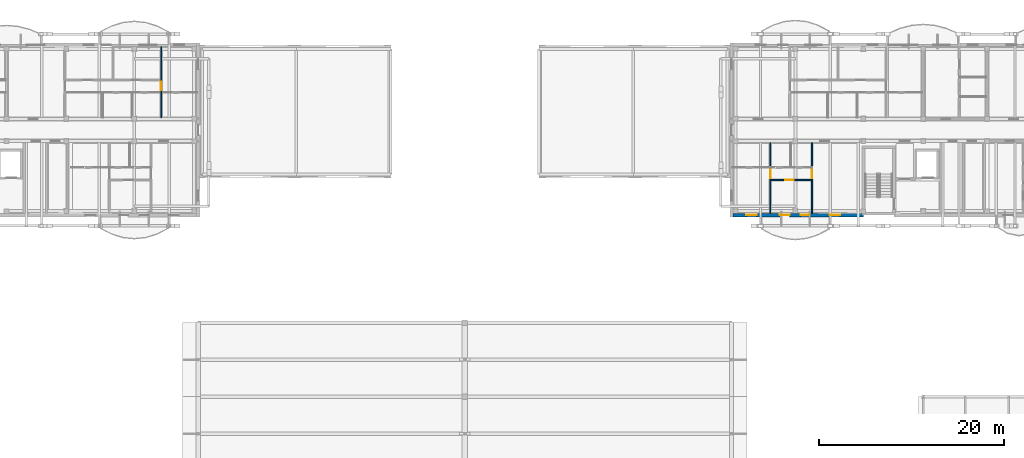
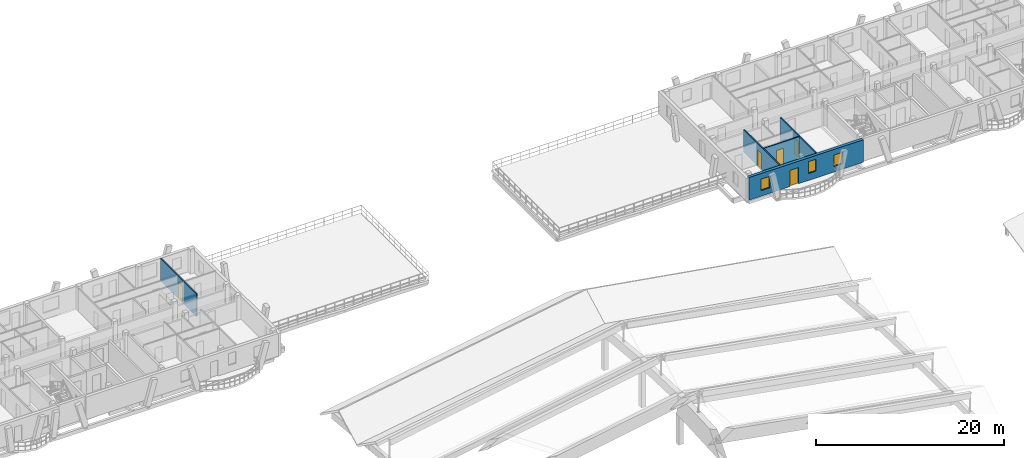
# One storey, part 76 of 109: 5 doors, 5 walls, 3 windows, 8 openings.
"""IFC4 building model written with IfcOpenShell, lengths in metres."""

from ifc_helpers import new_model, si_unit, direction, frame, frame_2d, origin, origin_with_axes, place, context, subcontext, project, spatial, rectangle, extrude, material, layer, layer_set, type_object, element, fill, save


model = new_model("IFC4")

# Units and contexts
model_context = context("Model", 3, precision=1e-05, world=origin(), true_north=direction((0.0, 1.0)))
body_context = subcontext(model_context, "Body", "Model", "MODEL_VIEW")
ifc_project = project(units=[si_unit("LENGTHUNIT", "METRE"), si_unit("AREAUNIT", "SQUARE_METRE"), si_unit("VOLUMEUNIT", "CUBIC_METRE"), si_unit("PLANEANGLEUNIT", "RADIAN"), si_unit("MASSUNIT", "GRAM", prefix="KILO")], contexts=[model_context])

# Site, building, storey
site_placement = place(None, origin())
site = spatial("IfcSite", under=ifc_project, at=site_placement, CompositionType="ELEMENT")
building_placement = place(site_placement, origin())
building = spatial("IfcBuilding", under=site, at=building_placement, Name="Zavelmont Quarter", CompositionType="ELEMENT")
storey_placement = place(building_placement, frame((0.0, 0.0, 8.0)))
storey = spatial("IfcBuildingStorey", under=building, at=storey_placement, Name="L02", CompositionType="ELEMENT", Elevation=8.0)

# Wall, openings, door, windows
ifc_material_1 = material(Name="Natural Belgian limestone", Category="masonry")
ifc_layer_1 = layer(ifc_material_1, 0.360107421875)
ifc_layer_set_1 = layer_set([ifc_layer_1], Name="Natural Belgian limestone")
wall_type_1 = type_object("IfcWallType", Name="EW02", PredefinedType="STANDARD", material=ifc_layer_set_1)
wall_1_placement = place(storey_placement, frame((112.969970703125, 97.60009765625, 0.0), z_axis=(0.0, 0.0, 1.0), x_axis=(1.0, 0.0, 0.0)))
wall_1 = element("IfcWall", 1, at=wall_1_placement, inside=storey, type_object=wall_type_1, Name="L02 exterior limestone wall EW02", PredefinedType="STANDARD", context=body_context, shape_type="SweptSolid", body=[
    extrude(rectangle(XDim=14.080078125, YDim=0.360107421875, at=frame_2d((7.0400390625, 0.0))), origin(), (0.0, 0.0, 1.0), 2.93994140625),
])
opening_1_placement = place(wall_1_placement, frame((5.050048828125, 0.0, 0.0)))
opening_1 = element("IfcOpeningElement", 2, at=opening_1_placement, cuts=wall_1, Name="Opening DR04A", PredefinedType="OPENING", context=body_context, shape_type="SweptSolid", body=[
    extrude(rectangle(XDim=1.050048828125, YDim=2.1201171875, at=frame_2d((0.52490234375, 1.06005859375))), frame((0.0, 0.19189453125, 0.0), z_axis=(0.0, -1.0, 0.0), x_axis=(1.0, 0.0, 0.0)), (0.0, 0.0, 1.0), 0.384033203125),
])
opening_2_placement = place(wall_1_placement, frame((1.449951171875, 0.0, 0.719970703125)))
opening_2 = element("IfcOpeningElement", 3, at=opening_2_placement, cuts=wall_1, Name="Opening WN09", PredefinedType="OPENING", context=body_context, shape_type="SweptSolid", body=[
    extrude(rectangle(XDim=1.10009765625, YDim=1.5, at=frame_2d((0.550048828125, 0.75))), frame((0.0, 0.19189453125, 0.0), z_axis=(0.0, -1.0, 0.0), x_axis=(1.0, 0.0, 0.0)), (0.0, 0.0, 1.0), 0.384033203125),
])
opening_3_placement = place(wall_1_placement, frame((7.300048828125, 0.0, 0.89990234375)))
opening_3 = element("IfcOpeningElement", 4, at=opening_3_placement, cuts=wall_1, Name="Opening WN04", PredefinedType="OPENING", context=body_context, shape_type="SweptSolid", body=[
    extrude(rectangle(XDim=0.949951171875, YDim=1.550048828125, at=frame_2d((0.47509765625, 0.77490234375))), frame((0.0, 0.19189453125, 0.0), z_axis=(0.0, -1.0, 0.0), x_axis=(1.0, 0.0, 0.0)), (0.0, 0.0, 1.0), 0.384033203125),
])
opening_4_placement = place(wall_1_placement, frame((10.449951171875, 0.0, 0.719970703125)))
opening_4 = element("IfcOpeningElement", 5, at=opening_4_placement, cuts=wall_1, Name="Opening WN09", PredefinedType="OPENING", context=body_context, shape_type="SweptSolid", body=[
    extrude(rectangle(XDim=1.10009765625, YDim=1.5, at=frame_2d((0.550048828125, 0.75))), frame((0.0, 0.19189453125, 0.0), z_axis=(0.0, -1.0, 0.0), x_axis=(1.0, 0.0, 0.0)), (0.0, 0.0, 1.0), 0.384033203125),
])
ifc_material_2 = material(Name="Thermally broken aluminium and double safety glass", Category="aluminium")
door_type_1 = type_object("IfcDoorType", Name="DR04A", OperationType="NOTDEFINED", PredefinedType="DOOR", material=ifc_material_2)
door_1_placement = place(opening_1_placement, origin_with_axes())
door_1 = element("IfcDoor", 6, at=door_1_placement, inside=storey, type_object=door_type_1, Name="Block C L02 glazed balcony door", OperationType="SINGLE_SWING_RIGHT", OverallHeight=2.1201171875, OverallWidth=1.050048828125, PredefinedType="DOOR", context=body_context, shape_type="SweptSolid", body=[
    extrude(rectangle(XDim=1.050048828125, YDim=2.1201171875, at=frame_2d((0.52490234375, 1.06005859375))), frame((0.0, 0.02490234375, 0.0), z_axis=(0.0, -1.0, 0.0), x_axis=(1.0, 0.0, 0.0)), (0.0, 0.0, 1.0), 0.050048828125),
])
fill(opening_1, door_1)
ifc_material_3 = material(Name="Double low-E insulated glazing in thermally broken aluminium frame", Category="aluminium")
window_type_1 = type_object("IfcWindowType", Name="WN04", PartitioningType="SINGLE_PANEL", PredefinedType="WINDOW", material=ifc_material_3)
window_1_placement = place(opening_3_placement, origin_with_axes())
window_1 = element("IfcWindow", 7, at=window_1_placement, inside=storey, type_object=window_type_1, Name="L02 window WN04", OverallHeight=1.550048828125, OverallWidth=0.949951171875, PartitioningType="SINGLE_PANEL", PredefinedType="WINDOW", context=body_context, shape_type="SweptSolid", body=[
    extrude(rectangle(XDim=0.949951171875, YDim=1.550048828125, at=frame_2d((0.47509765625, 0.77490234375))), frame((0.0, 0.030029296875, 0.0), z_axis=(0.0, -1.0, 0.0), x_axis=(1.0, 0.0, 0.0)), (0.0, 0.0, 1.0), 0.06005859375),
])
fill(opening_3, window_1)
window_type_2 = type_object("IfcWindowType", Name="WN09", PartitioningType="SINGLE_PANEL", PredefinedType="WINDOW", material=ifc_material_3)
window_2_placement = place(opening_2_placement, origin_with_axes())
window_2 = element("IfcWindow", 8, at=window_2_placement, inside=storey, type_object=window_type_2, Name="L02 window WN09", OverallHeight=1.5, OverallWidth=1.10009765625, PartitioningType="SINGLE_PANEL", PredefinedType="WINDOW", context=body_context, shape_type="SweptSolid", body=[
    extrude(rectangle(XDim=1.10009765625, YDim=1.5, at=frame_2d((0.550048828125, 0.75))), frame((0.0, 0.030029296875, 0.0), z_axis=(0.0, -1.0, 0.0), x_axis=(1.0, 0.0, 0.0)), (0.0, 0.0, 1.0), 0.06005859375),
])
fill(opening_2, window_2)
window_3_placement = place(opening_4_placement, origin_with_axes())
window_3 = element("IfcWindow", 9, at=window_3_placement, inside=storey, type_object=window_type_2, Name="L02 window WN09", OverallHeight=1.5, OverallWidth=1.10009765625, PartitioningType="SINGLE_PANEL", PredefinedType="WINDOW", context=body_context, shape_type="SweptSolid", body=[
    extrude(rectangle(XDim=1.10009765625, YDim=1.5, at=frame_2d((0.550048828125, 0.75))), frame((0.0, 0.030029296875, 0.0), z_axis=(0.0, -1.0, 0.0), x_axis=(1.0, 0.0, 0.0)), (0.0, 0.0, 1.0), 0.06005859375),
])
fill(opening_4, window_3)

# Wall, opening, door
ifc_material_4 = material(Name="Double gypsum board on acoustic steel stud", Category="steel")
ifc_layer_2 = layer(ifc_material_4, 0.125)
ifc_layer_set_2 = layer_set([ifc_layer_2], Name="Double gypsum board on acoustic steel stud")
wall_type_2 = type_object("IfcWallType", Name="IW03", PredefinedType="PARTITIONING", material=ifc_layer_set_2)
wall_2_placement = place(storey_placement, frame((51.199951171875, 108.14990234375, 0.0), z_axis=(0.0, 0.0, 1.0), x_axis=(0.0, 1.0, 0.0)))
wall_2 = element("IfcWall", 10, at=wall_2_placement, inside=storey, type_object=wall_type_2, Name="L02 Partition IW03", PredefinedType="PARTITIONING", context=body_context, shape_type="SweptSolid", body=[
    extrude(rectangle(XDim=7.650146484375, YDim=0.125, at=frame_2d((3.8251953125, 0.0))), origin(), (0.0, 0.0, 1.0), 2.93994140625),
])
opening_5_placement = place(wall_2_placement, frame((2.949951171875, 0.0, 0.0)))
opening_5 = element("IfcOpeningElement", 11, at=opening_5_placement, cuts=wall_2, Name="Opening DR05", PredefinedType="OPENING", context=body_context, shape_type="SweptSolid", body=[
    extrude(rectangle(XDim=0.89990234375, YDim=2.10009765625, at=frame_2d((0.449951171875, 1.050048828125))), frame((0.0, 0.074462890625, 0.0), z_axis=(0.0, -1.0, 0.0), x_axis=(1.0, 0.0, 0.0)), (0.0, 0.0, 1.0), 0.14892578125),
])
ifc_material_5 = material(Name="Engineered oak flush interior door")
door_type_2 = type_object("IfcDoorType", Name="DR05", OperationType="NOTDEFINED", PredefinedType="DOOR", material=ifc_material_5)
door_2_placement = place(opening_5_placement, origin_with_axes())
door_2 = element("IfcDoor", 12, at=door_2_placement, inside=storey, type_object=door_type_2, Name="L02 door DR05", OperationType="SINGLE_SWING_LEFT", OverallHeight=2.10009765625, OverallWidth=0.89990234375, PredefinedType="DOOR", context=body_context, shape_type="SweptSolid", body=[
    extrude(rectangle(XDim=0.89990234375, YDim=2.10009765625, at=frame_2d((0.449951171875, 1.050048828125))), frame((0.0, 0.02490234375, 0.0), z_axis=(0.0, -1.0, 0.0), x_axis=(1.0, 0.0, 0.0)), (0.0, 0.0, 1.0), 0.050048828125),
])
fill(opening_5, door_2)

wall_3_placement = place(storey_placement, frame((121.5, 105.449951171875, 0.0), z_axis=(0.0, 0.0, 1.0), x_axis=(0.0, -1.0, 0.0)))
wall_3 = element("IfcWall", 13, at=wall_3_placement, inside=storey, type_object=wall_type_2, Name="L02 Partition IW03", PredefinedType="PARTITIONING", context=body_context, shape_type="SweptSolid", body=[
    extrude(rectangle(XDim=7.64990234375, YDim=0.125, at=frame_2d((3.824951171875, 0.0))), origin(), (0.0, 0.0, 1.0), 2.93994140625),
])
opening_6_placement = place(wall_3_placement, frame((2.949951171875, 0.0, 0.0)))
opening_6 = element("IfcOpeningElement", 14, at=opening_6_placement, cuts=wall_3, Name="Opening DR05", PredefinedType="OPENING", context=body_context, shape_type="SweptSolid", body=[
    extrude(rectangle(XDim=0.89990234375, YDim=2.10009765625, at=frame_2d((0.449951171875, 1.050048828125))), frame((0.0, 0.074462890625, 0.0), z_axis=(0.0, -1.0, 0.0), x_axis=(1.0, 0.0, 0.0)), (0.0, 0.0, 1.0), 0.14892578125),
])
door_3_placement = place(opening_6_placement, origin_with_axes())
door_3 = element("IfcDoor", 15, at=door_3_placement, inside=storey, type_object=door_type_2, Name="L02 door DR05", OperationType="SINGLE_SWING_LEFT", OverallHeight=2.10009765625, OverallWidth=0.89990234375, PredefinedType="DOOR", context=body_context, shape_type="SweptSolid", body=[
    extrude(rectangle(XDim=0.89990234375, YDim=2.10009765625, at=frame_2d((0.449951171875, 1.050048828125))), frame((0.0, 0.02490234375, 0.0), z_axis=(0.0, -1.0, 0.0), x_axis=(1.0, 0.0, 0.0)), (0.0, 0.0, 1.0), 0.050048828125),
])
fill(opening_6, door_3)

wall_4_placement = place(storey_placement, frame((117.0, 105.449951171875, 0.0), z_axis=(0.0, 0.0, 1.0), x_axis=(0.0, -1.0, 0.0)))
wall_4 = element("IfcWall", 16, at=wall_4_placement, inside=storey, type_object=wall_type_2, Name="L02 Partition IW03", PredefinedType="PARTITIONING", context=body_context, shape_type="SweptSolid", body=[
    extrude(rectangle(XDim=7.64990234375, YDim=0.125, at=frame_2d((3.824951171875, 0.0))), origin(), (0.0, 0.0, 1.0), 2.93994140625),
])
opening_7_placement = place(wall_4_placement, frame((2.949951171875, 0.0, 0.0)))
opening_7 = element("IfcOpeningElement", 17, at=opening_7_placement, cuts=wall_4, Name="Opening DR05", PredefinedType="OPENING", context=body_context, shape_type="SweptSolid", body=[
    extrude(rectangle(XDim=0.89990234375, YDim=2.10009765625, at=frame_2d((0.449951171875, 1.050048828125))), frame((0.0, 0.074462890625, 0.0), z_axis=(0.0, -1.0, 0.0), x_axis=(1.0, 0.0, 0.0)), (0.0, 0.0, 1.0), 0.14892578125),
])
door_4_placement = place(opening_7_placement, frame((0.89990234375, 0.0, 0.0), z_axis=(0.0, 0.0, 1.0), x_axis=(-1.0, 0.0, 0.0)))
door_4 = element("IfcDoor", 18, at=door_4_placement, inside=storey, type_object=door_type_2, Name="L02 door DR05", OperationType="SINGLE_SWING_RIGHT", OverallHeight=2.10009765625, OverallWidth=0.89990234375, PredefinedType="DOOR", context=body_context, shape_type="SweptSolid", body=[
    extrude(rectangle(XDim=0.89990234375, YDim=2.10009765625, at=frame_2d((0.449951171875, 1.050048828125))), frame((0.0, 0.02490234375, 0.0), z_axis=(0.0, -1.0, 0.0), x_axis=(1.0, 0.0, 0.0)), (0.0, 0.0, 1.0), 0.050048828125),
])
fill(opening_7, door_4)

wall_5_placement = place(storey_placement, frame((117.0, 101.39990234375, 0.0), z_axis=(0.0, 0.0, 1.0), x_axis=(1.0, 0.0, 0.0)))
wall_5 = element("IfcWall", 19, at=wall_5_placement, inside=storey, type_object=wall_type_2, Name="L02 Partition IW03", PredefinedType="PARTITIONING", context=body_context, shape_type="SweptSolid", body=[
    extrude(rectangle(XDim=4.5, YDim=0.125, at=frame_2d((2.25, 0.0))), origin(), (0.0, 0.0, 1.0), 2.93994140625),
])
opening_8_placement = place(wall_5_placement, frame((1.60009765625, 0.0, 0.0)))
opening_8 = element("IfcOpeningElement", 20, at=opening_8_placement, cuts=wall_5, Name="Opening DR05", PredefinedType="OPENING", context=body_context, shape_type="SweptSolid", body=[
    extrude(rectangle(XDim=0.89990234375, YDim=2.10009765625, at=frame_2d((0.449951171875, 1.050048828125))), frame((0.0, 0.074462890625, 0.0), z_axis=(0.0, -1.0, 0.0), x_axis=(1.0, 0.0, 0.0)), (0.0, 0.0, 1.0), 0.14892578125),
])
door_5_placement = place(opening_8_placement, frame((0.89990234375, 0.0, 0.0), z_axis=(0.0, 0.0, 1.0), x_axis=(-1.0, 0.0, 0.0)))
door_5 = element("IfcDoor", 21, at=door_5_placement, inside=storey, type_object=door_type_2, Name="L02 door DR05", OperationType="SINGLE_SWING_RIGHT", OverallHeight=2.10009765625, OverallWidth=0.89990234375, PredefinedType="DOOR", context=body_context, shape_type="SweptSolid", body=[
    extrude(rectangle(XDim=0.89990234375, YDim=2.10009765625, at=frame_2d((0.449951171875, 1.050048828125))), frame((0.0, 0.02490234375, 0.0), z_axis=(0.0, -1.0, 0.0), x_axis=(1.0, 0.0, 0.0)), (0.0, 0.0, 1.0), 0.050048828125),
])
fill(opening_8, door_5)

save(model, "model.ifc")
